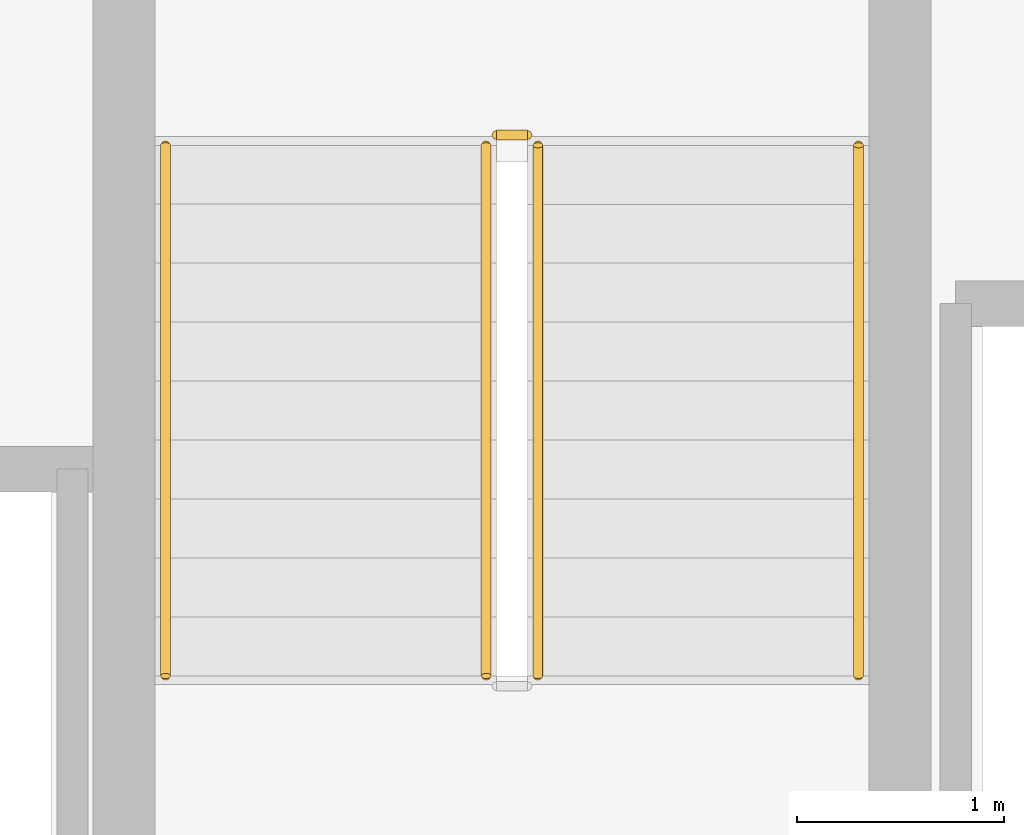
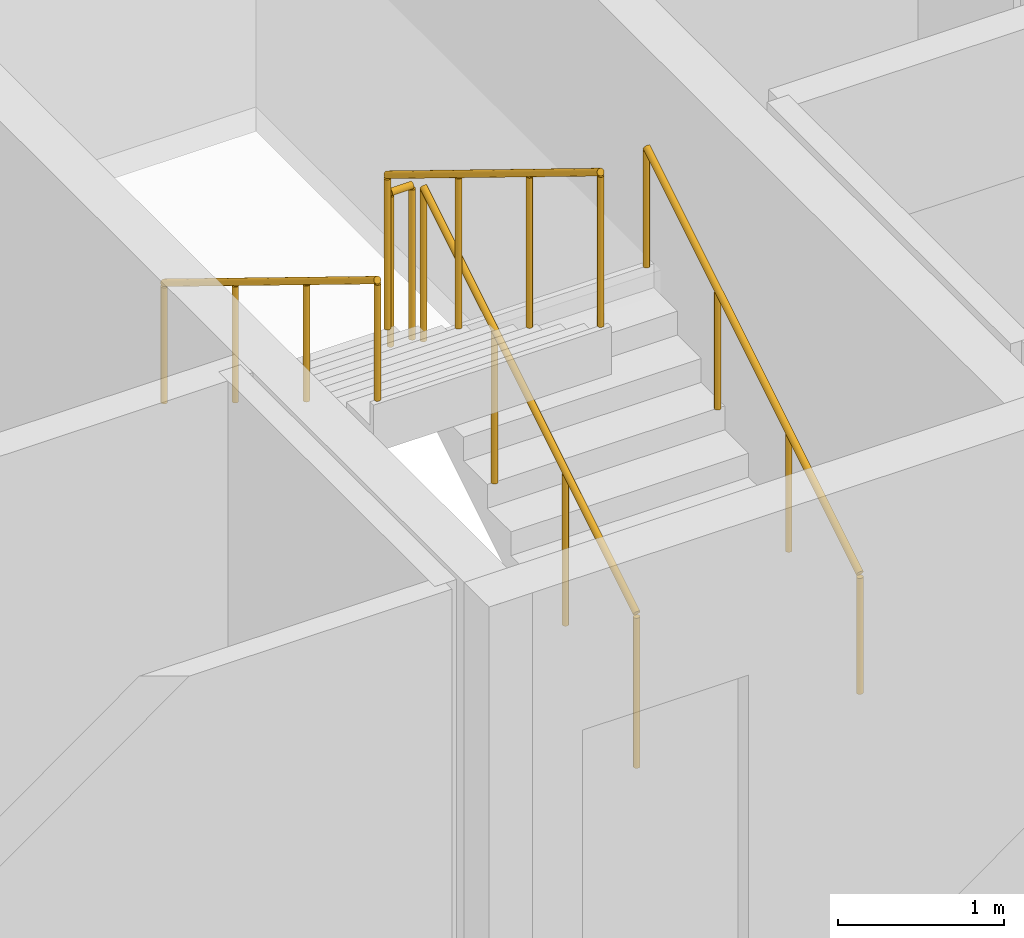
# One storey, part 13 of 13: 5 railings.
"""IFC4 building model written with IfcOpenShell, lengths in metres."""

from ifc_helpers import new_model, si_unit, direction, frame, origin, origin_2d, place, context, subcontext, project, spatial, circle, extrude, material, type_object, element, save


model = new_model("IFC4")

# Units and contexts
model_context = context("Model", 3, precision=1e-05, world=origin(), true_north=direction((0.0, 1.0)))
body_context = subcontext(model_context, "Body", "Model", "MODEL_VIEW")
ifc_project = project(units=[si_unit("LENGTHUNIT", "METRE"), si_unit("AREAUNIT", "SQUARE_METRE"), si_unit("VOLUMEUNIT", "CUBIC_METRE"), si_unit("PLANEANGLEUNIT", "RADIAN"), si_unit("MASSUNIT", "GRAM", prefix="KILO")], contexts=[model_context])

# Site, building, storey
site_placement = place(None, origin())
site = spatial("IfcSite", under=ifc_project, at=site_placement, CompositionType="ELEMENT")
building_placement = place(site_placement, origin())
building = spatial("IfcBuilding", under=site, at=building_placement, Name="Nhamokura Convention Tower", CompositionType="ELEMENT")
storey_placement = place(building_placement, frame((0.0, 0.0, 92.75)))
storey = spatial("IfcBuildingStorey", under=building, at=storey_placement, Name="L22", CompositionType="ELEMENT", Elevation=92.75)

# Railings
ifc_material_1 = material(Name="Anodised bronze stainless steel", Category="steel")
railing_type_1 = type_object("IfcRailingType", Name="StairWallHandrail_900", PredefinedType="HANDRAIL", material=ifc_material_1)
railing_1_placement = place(storey_placement, frame((33.64990234375, 35.14990234375, 0.175048828125)))
element("IfcRailing", 1, at=railing_1_placement, inside=storey, type_object=railing_type_1, Name="L22 ST-03 stair handrail 1", PredefinedType="HANDRAIL", context=body_context, shape_type="SweptSolid", body=[
    extrude(circle(Radius=0.02392578125, at=origin_2d()), frame((0.0, 0.0, 0.8759765625), z_axis=(0.0, 0.852195335862, 0.523223766217), x_axis=(-1.0, 0.0, 0.0)), (0.0, 0.0, 1.0), 3.010009765625),
    extrude(circle(Radius=0.02099609375, at=origin_2d()), origin(), (0.0, 0.0, 1.0), 0.851806640625),
    extrude(circle(Radius=0.02099609375, at=origin_2d()), frame((0.0, 0.85498046875, 0.52490234375)), (0.0, 0.0, 1.0), 0.851806640625),
    extrude(circle(Radius=0.02099609375, at=origin_2d()), frame((0.0, 1.710205078125, 1.050048828125)), (0.0, 0.0, 1.0), 0.851806640625),
    extrude(circle(Radius=0.02099609375, at=origin_2d()), frame((0.0, 2.565185546875, 1.574951171875)), (0.0, 0.0, 1.0), 0.851806640625),
])
railing_2_placement = place(storey_placement, frame((30.300048828125, 37.715087890625, 1.925048828125)))
element("IfcRailing", 2, at=railing_2_placement, inside=storey, type_object=railing_type_1, Name="L22 ST-03 stair handrail 2", PredefinedType="HANDRAIL", context=body_context, shape_type="SweptSolid", body=[
    extrude(circle(Radius=0.02392578125, at=origin_2d()), frame((0.0, 0.0, 0.8759765625), z_axis=(0.0, -0.852195335862, 0.523223766217), x_axis=(1.0, 0.0, 0.0)), (0.0, 0.0, 1.0), 3.010009765625),
    extrude(circle(Radius=0.02099609375, at=origin_2d()), origin(), (0.0, 0.0, 1.0), 0.851806640625),
    extrude(circle(Radius=0.02099609375, at=origin_2d()), frame((0.0, -0.85498046875, 0.52490234375)), (0.0, 0.0, 1.0), 0.851806640625),
    extrude(circle(Radius=0.02099609375, at=origin_2d()), frame((0.0, -1.710205078125, 1.050048828125)), (0.0, 0.0, 1.0), 0.851806640625),
    extrude(circle(Radius=0.02099609375, at=origin_2d()), frame((0.0, -2.565185546875, 1.574951171875)), (0.0, 0.0, 1.0), 0.851806640625),
])
ifc_material_2 = material(Name="Painted tubular steel", Category="steel")
railing_type_2 = type_object("IfcRailingType", Name="StairWellGuardrail_1150", PredefinedType="GUARDRAIL", material=ifc_material_2)
railing_3_placement = place(storey_placement, frame((32.10009765625, 35.14990234375, 0.175048828125)))
element("IfcRailing", 3, at=railing_3_placement, inside=storey, type_object=railing_type_2, Name="L22 ST-03 stair guard 1", PredefinedType="GUARDRAIL", context=body_context, shape_type="SweptSolid", body=[
    extrude(circle(Radius=0.02392578125, at=origin_2d()), frame((0.0, 0.0, 1.1259765625), z_axis=(0.0, 0.852195335862, 0.523223766217), x_axis=(-1.0, 0.0, 0.0)), (0.0, 0.0, 1.0), 3.010009765625),
    extrude(circle(Radius=0.02099609375, at=origin_2d()), origin(), (0.0, 0.0, 1.0), 1.101806640625),
    extrude(circle(Radius=0.02099609375, at=origin_2d()), frame((0.0, 0.85498046875, 0.52490234375)), (0.0, 0.0, 1.0), 1.101806640625),
    extrude(circle(Radius=0.02099609375, at=origin_2d()), frame((0.0, 1.710205078125, 1.050048828125)), (0.0, 0.0, 1.0), 1.101806640625),
    extrude(circle(Radius=0.02099609375, at=origin_2d()), frame((0.0, 2.565185546875, 1.574951171875)), (0.0, 0.0, 1.0), 1.101806640625),
])
railing_4_placement = place(storey_placement, frame((32.050048828125, 37.764892578125, 1.75)))
element("IfcRailing", 4, at=railing_4_placement, inside=storey, type_object=railing_type_2, Name="L22 ST-03 stair guard 2", PredefinedType="GUARDRAIL", context=body_context, shape_type="SweptSolid", body=[
    extrude(circle(Radius=0.02392578125, at=origin_2d()), frame((0.0, 0.0, 1.1259765625), z_axis=(-1.0, 0.0, 0.0), x_axis=(0.0, -1.0, 0.0)), (0.0, 0.0, 1.0), 0.150146484375),
    extrude(circle(Radius=0.02099609375, at=origin_2d()), origin(), (0.0, 0.0, 1.0), 1.101806640625),
    extrude(circle(Radius=0.02099609375, at=origin_2d()), frame((-0.150146484375, 0.0, 0.0)), (0.0, 0.0, 1.0), 1.101806640625),
])
railing_5_placement = place(storey_placement, frame((31.85009765625, 37.715087890625, 1.925048828125)))
element("IfcRailing", 5, at=railing_5_placement, inside=storey, type_object=railing_type_2, Name="L22 ST-03 stair guard 3", PredefinedType="GUARDRAIL", context=body_context, shape_type="SweptSolid", body=[
    extrude(circle(Radius=0.02392578125, at=origin_2d()), frame((0.0, 0.0, 1.1259765625), z_axis=(0.0, -0.852195335862, 0.523223766217), x_axis=(1.0, 0.0, 0.0)), (0.0, 0.0, 1.0), 3.010009765625),
    extrude(circle(Radius=0.02099609375, at=origin_2d()), origin(), (0.0, 0.0, 1.0), 1.101806640625),
    extrude(circle(Radius=0.02099609375, at=origin_2d()), frame((0.0, -0.85498046875, 0.52490234375)), (0.0, 0.0, 1.0), 1.101806640625),
    extrude(circle(Radius=0.02099609375, at=origin_2d()), frame((0.0, -1.710205078125, 1.050048828125)), (0.0, 0.0, 1.0), 1.101806640625),
    extrude(circle(Radius=0.02099609375, at=origin_2d()), frame((0.0, -2.565185546875, 1.574951171875)), (0.0, 0.0, 1.0), 1.101806640625),
])

save(model, "model.ifc")
